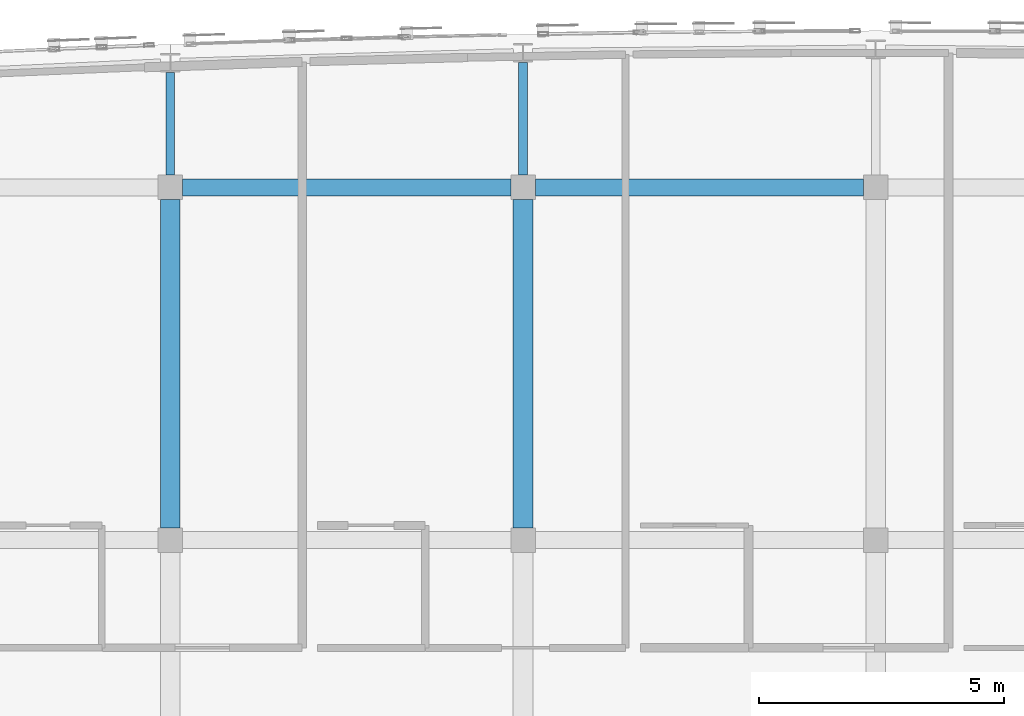
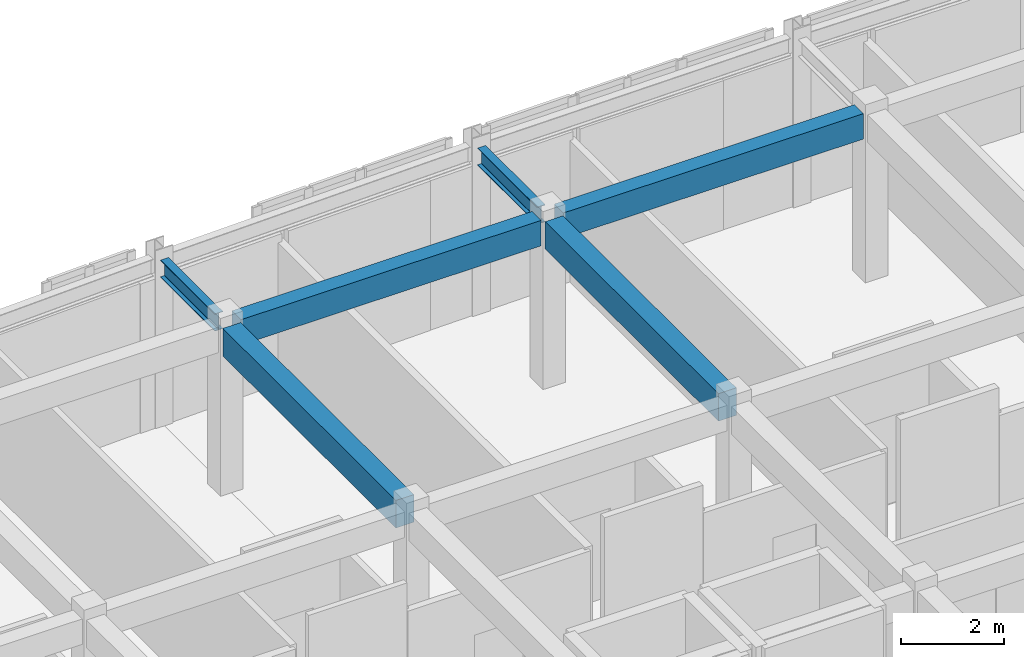
# One storey, part 10 of 24: 6 beams.
"""IFC4 building model written with IfcOpenShell, lengths in metres."""

from ifc_helpers import new_model, si_unit, direction, frame, origin, origin_2d, place, context, subcontext, project, spatial, rectangle, i_section, extrude, material, material_profile, profile_set, type_object, element, save


model = new_model("IFC4")

# Units and contexts
model_context = context("Model", 3, precision=1e-05, world=origin(), true_north=direction((0.0, 1.0)))
body_context = subcontext(model_context, "Body", "Model", "MODEL_VIEW")
ifc_project = project(units=[si_unit("LENGTHUNIT", "METRE"), si_unit("AREAUNIT", "SQUARE_METRE"), si_unit("VOLUMEUNIT", "CUBIC_METRE"), si_unit("PLANEANGLEUNIT", "RADIAN"), si_unit("MASSUNIT", "GRAM", prefix="KILO")], contexts=[model_context])

# Site, building, storey
site_placement = place(None, origin())
site = spatial("IfcSite", under=ifc_project, at=site_placement, CompositionType="ELEMENT")
building_placement = place(site_placement, origin())
building = spatial("IfcBuilding", under=site, at=building_placement, Name="Carrowvane Square Congress Hotel", CompositionType="ELEMENT")
storey_placement = place(building_placement, frame((0.0, 0.0, 44.39990234375)))
storey = spatial("IfcBuildingStorey", under=building, at=storey_placement, Name="L11", CompositionType="ELEMENT", Elevation=44.39990234375)

# Beams
ifc_material_1 = material(Name="Concrete C35/45", Category="concrete")
ifc_material_profile_1 = material_profile(ifc_material_1, rectangle(XDim=0.35009765625, YDim=0.60009765625, at=origin_2d()), Name="RC 350x600")
ifc_profile_set_1 = profile_set([ifc_material_profile_1], Name="Concrete C35/45")
beam_type_1 = type_object("IfcBeamType", Name="BM-RC-350x600", PredefinedType="BEAM", material=ifc_profile_set_1)
for number, where, z_axis, x_axis, name in (
    (1, (83.85009765625, 113.39990234375, 3.650146484375), (1.0, 0.0, 0.0), (0.0, 1.0, 0.0), "RF girder R/11-12"),
    (2, (91.050048828125, 113.39990234375, 3.650146484375), (1.0, 0.0, 0.0), (0.0, 1.0, 0.0), "RF girder R/12-13"),
):
    element("IfcBeam", number, at=place(storey_placement, frame(where, z_axis=z_axis, x_axis=x_axis)), inside=storey, type_object=beam_type_1, Name=name, PredefinedType="BEAM", context=body_context, shape_type="SweptSolid", body=[
        extrude(rectangle(XDim=0.35009765625, YDim=0.60009765625, at=origin_2d()), origin(), (0.0, 0.0, 1.0), 6.699951171875),
    ])
ifc_material_2 = material(Name="Concrete C35/45", Category="concrete")
ifc_material_profile_2 = material_profile(ifc_material_2, rectangle(XDim=0.39990234375, YDim=0.64990234375, at=origin_2d()), Name="RC 400x650")
ifc_profile_set_2 = profile_set([ifc_material_profile_2], Name="Concrete C35/45")
beam_type_2 = type_object("IfcBeamType", Name="BM-RC-400x650", PredefinedType="BEAM", material=ifc_profile_set_2)
for number, where, z_axis, x_axis, name in (
    (3, (83.60009765625, 106.449951171875, 3.625), (0.0, 1.0, 0.0), (-1.0, 0.0, 0.0), "RF girder 11/Q-R"),
    (4, (90.800048828125, 106.449951171875, 3.625), (0.0, 1.0, 0.0), (-1.0, 0.0, 0.0), "RF girder 12/Q-R"),
):
    element("IfcBeam", number, at=place(storey_placement, frame(where, z_axis=z_axis, x_axis=x_axis)), inside=storey, type_object=beam_type_2, Name=name, PredefinedType="BEAM", context=body_context, shape_type="SweptSolid", body=[
        extrude(rectangle(XDim=0.39990234375, YDim=0.64990234375, at=origin_2d()), origin(), (0.0, 0.0, 1.0), 6.699951171875),
    ])
ifc_material_3 = material(Name="Steel S355", Category="steel")
ifc_material_profile_3 = material_profile(ifc_material_3, i_section(OverallWidth=0.1787109375, OverallDepth=0.409423828125, WebThickness=0.0087890625, FlangeThickness=0.014404296875, FilletRadius=0.01025390625, at=origin_2d()), Name="UKB 406x178x67")
ifc_profile_set_3 = profile_set([ifc_material_profile_3], Name="Steel S355")
beam_type_3 = type_object("IfcBeamType", Name="BM-ST-UKB406", PredefinedType="BEAM", material=ifc_profile_set_3)
beam_1_placement = place(storey_placement, frame((83.60009765625, 113.64990234375, 3.745361328125), z_axis=(0.0, 1.0, 0.0), x_axis=(-1.0, 0.0, 0.0)))
element("IfcBeam", 5, at=beam_1_placement, inside=storey, type_object=beam_type_3, Name="RF radial north beam 11", PredefinedType="BEAM", context=body_context, shape_type="SweptSolid", body=[
    extrude(i_section(OverallWidth=0.1787109375, OverallDepth=0.409423828125, WebThickness=0.0087890625, FlangeThickness=0.014404296875, FilletRadius=0.01025390625, at=origin_2d()), origin(), (0.0, 0.0, 1.0), 2.0966796875),
])
beam_2_placement = place(storey_placement, frame((90.800048828125, 113.64990234375, 3.745361328125), z_axis=(0.0, 1.0, 0.0), x_axis=(-1.0, 0.0, 0.0)))
element("IfcBeam", 6, at=beam_2_placement, inside=storey, type_object=beam_type_3, Name="RF radial north beam 12", PredefinedType="BEAM", context=body_context, shape_type="SweptSolid", body=[
    extrude(i_section(OverallWidth=0.1787109375, OverallDepth=0.409423828125, WebThickness=0.0087890625, FlangeThickness=0.014404296875, FilletRadius=0.01025390625, at=origin_2d()), origin(), (0.0, 0.0, 1.0), 2.302490234375),
])

save(model, "model.ifc")
